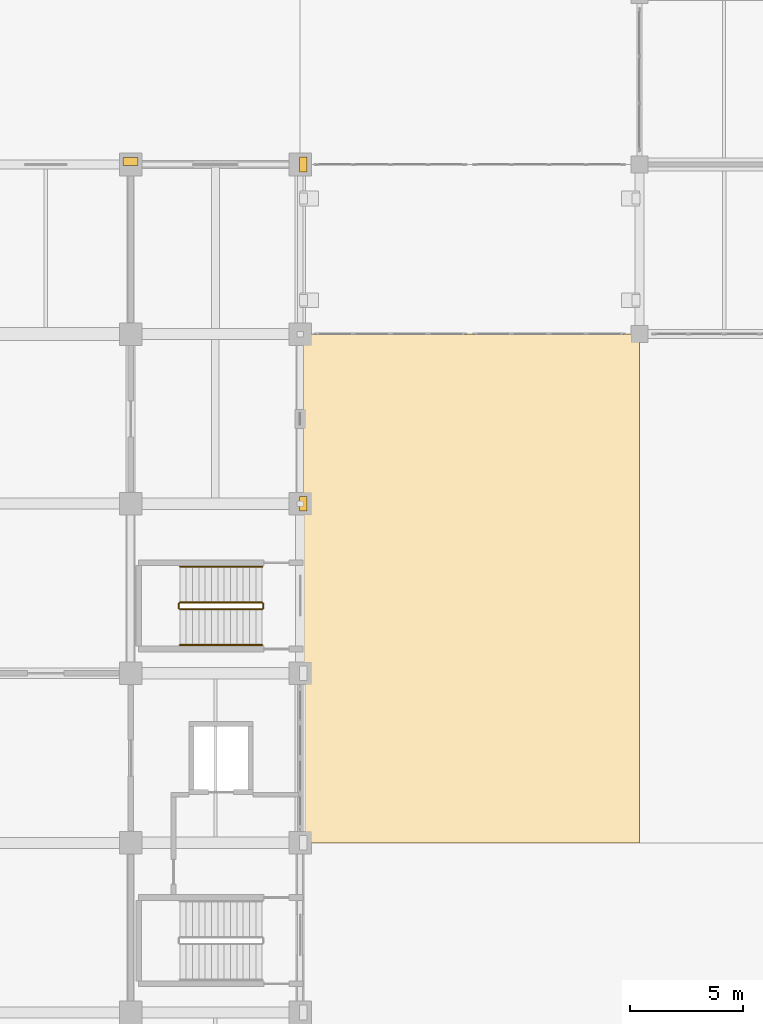
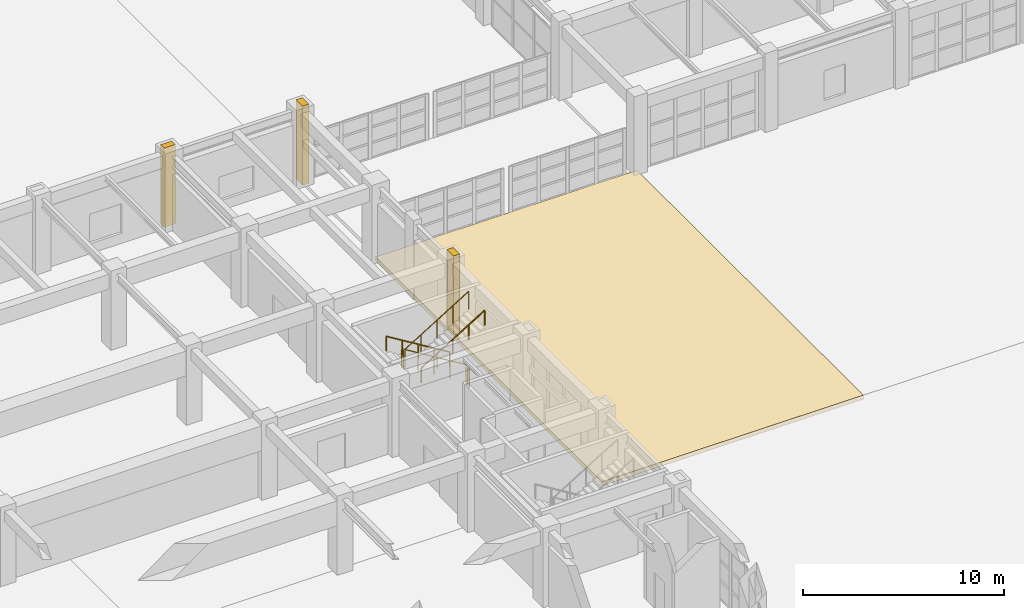
# One storey, part 117 of 122: 6 railings, 4 coverings.
"""IFC4 building model written with IfcOpenShell, lengths in metres."""

from ifc_helpers import new_model, si_unit, direction, frame, origin, origin_2d, place, context, subcontext, project, spatial, polyline, rectangle, circle, outline, extrude, material, layer, layer_set, type_object, element, save


model = new_model("IFC4")

# Units and contexts
model_context = context("Model", 3, precision=1e-05, world=origin(), true_north=direction((0.0, 1.0)))
body_context = subcontext(model_context, "Body", "Model", "MODEL_VIEW")
ifc_project = project(units=[si_unit("LENGTHUNIT", "METRE"), si_unit("AREAUNIT", "SQUARE_METRE"), si_unit("VOLUMEUNIT", "CUBIC_METRE"), si_unit("PLANEANGLEUNIT", "RADIAN"), si_unit("MASSUNIT", "GRAM", prefix="KILO")], contexts=[model_context])

# Site, building, storey
site_placement = place(None, origin())
site = spatial("IfcSite", under=ifc_project, at=site_placement, CompositionType="ELEMENT")
building_placement = place(site_placement, origin())
building = spatial("IfcBuilding", under=site, at=building_placement, Name="Qasida Concert Hall", CompositionType="ELEMENT")
storey_placement = place(building_placement, origin())
storey = spatial("IfcBuildingStorey", under=building, at=storey_placement, Name="L00", CompositionType="ELEMENT", Elevation=0.0)

# Coverings
ifc_material_1 = material(Name="Bush-hammered Lebanese limestone plaza paving", Category="masonry")
ifc_layer_1 = layer(ifc_material_1, 0.25, Name="Bush-hammered Lebanese limestone plaza paving")
ifc_layer_set_1 = layer_set([ifc_layer_1], Name="Bush-hammered Lebanese limestone plaza paving")
covering_type_1 = type_object("IfcCoveringType", Name="CV-PAV-250", PredefinedType="FLOORING", material=ifc_layer_set_1)
covering_1_placement = place(storey_placement, frame((0.0, 0.0, -0.25)))
element("IfcCovering", 1, at=covering_1_placement, inside=storey, type_object=covering_type_1, Name="L00 East symphony colonnade court north", PredefinedType="FLOORING", context=body_context, shape_type="SweptSolid", body=[
    extrude(outline(polyline([(105.0, 52.5), (120.0, 52.5), (120.0, 75.0), (105.0, 75.0), (105.0, 52.5)])), origin(), (0.0, 0.0, 1.0), 0.25),
])
ifc_material_2 = material(Name="Projecting fluted Lebanese limestone Art Deco pilaster", Category="masonry")
ifc_layer_2 = layer(ifc_material_2, 0.35009765625, Name="Projecting fluted Lebanese limestone Art Deco pilaster")
ifc_layer_set_2 = layer_set([ifc_layer_2], Name="Projecting fluted Lebanese limestone Art Deco pilaster")
covering_type_2 = type_object("IfcCoveringType", Name="CV-PIL-650", PredefinedType="CLADDING", material=ifc_layer_set_2)
for number, where, z_axis, x_axis, name in (
    (2, (105.135009765625, 67.5, 0.0), (0.0, 0.0, 1.0), (1.0, 0.0, 0.0), "L00 fluted limestone pilaster 0078"),
    (3, (105.135009765625, 82.5, 0.0), (0.0, 0.0, 1.0), (1.0, 0.0, 0.0), "L00 fluted limestone pilaster 0092"),
):
    element("IfcCovering", number, at=place(storey_placement, frame(where, z_axis=z_axis, x_axis=x_axis)), inside=storey, type_object=covering_type_2, Name=name, PredefinedType="CLADDING", context=body_context, shape_type="SweptSolid", body=[
        extrude(rectangle(XDim=0.35009765625, YDim=0.64990234375, at=origin_2d()), origin(), (0.0, 0.0, 1.0), 4.800048828125),
    ])
covering_2_placement = place(storey_placement, frame((97.5, 82.635009765625, 0.0), z_axis=(0.0, 0.0, 1.0), x_axis=(1.0, 0.0, 0.0)))
element("IfcCovering", 4, at=covering_2_placement, inside=storey, type_object=covering_type_2, Name="L00 fluted limestone pilaster 0134", PredefinedType="CLADDING", context=body_context, shape_type="SweptSolid", body=[
    extrude(rectangle(XDim=0.64990234375, YDim=0.35009765625, at=origin_2d()), origin(), (0.0, 0.0, 1.0), 4.800048828125),
])

# Railings
ifc_material_3 = material(Name="Patinated architectural bronze and laminated glass infill", Category="glass")
ifc_layer_3 = layer(ifc_material_3, 0.080078125, Name="Patinated architectural bronze and laminated glass infill")
ifc_layer_set_3 = layer_set([ifc_layer_3], Name="Patinated architectural bronze and laminated glass infill")
railing_type_1 = type_object("IfcRailingType", Name="RL-GRD-1100", PredefinedType="GUARDRAIL", material=ifc_layer_set_3)
railing_1_placement = place(storey_placement, frame((103.320068359375, 63.1298828125, 0.17138671875)))
element("IfcRailing", 5, at=railing_1_placement, inside=storey, type_object=railing_type_1, Name="L00 ST-12 stair guard 1", PredefinedType="GUARDRAIL", context=body_context, shape_type="SweptSolid", body=[
    extrude(circle(Radius=0.02392578125, at=origin_2d()), frame((0.0, 0.0, 1.076171875), z_axis=(-0.852865859571, 0.0, 0.52213008492), x_axis=(0.0, -1.0, 0.0)), (0.0, 0.0, 1.0), 4.26806640625),
    extrude(circle(Radius=0.02099609375, at=origin_2d()), origin(), (0.0, 0.0, 1.0), 1.052001953125),
    extrude(circle(Radius=0.02099609375, at=origin_2d()), frame((-0.91015625, 0.0, 0.55712890625)), (0.0, 0.0, 1.0), 1.052001953125),
    extrude(circle(Radius=0.02099609375, at=origin_2d()), frame((-1.820068359375, 0.0, 1.1142578125)), (0.0, 0.0, 1.0), 1.052001953125),
    extrude(circle(Radius=0.02099609375, at=origin_2d()), frame((-2.72998046875, 0.0, 1.67138671875)), (0.0, 0.0, 1.0), 1.052001953125),
    extrude(circle(Radius=0.02099609375, at=origin_2d()), frame((-3.64013671875, 0.0, 2.228515625)), (0.0, 0.0, 1.0), 1.052001953125),
])
railing_2_placement = place(storey_placement, frame((99.6298828125, 63.080078125, 2.39990234375)))
element("IfcRailing", 6, at=railing_2_placement, inside=storey, type_object=railing_type_1, Name="L00 ST-12 stair guard 2", PredefinedType="GUARDRAIL", context=body_context, shape_type="SweptSolid", body=[
    extrude(circle(Radius=0.02392578125, at=origin_2d()), frame((0.0, 0.0, 1.076171875), z_axis=(0.0, -1.0, 0.0), x_axis=(1.0, 0.0, 0.0)), (0.0, 0.0, 1.0), 0.2001953125),
    extrude(circle(Radius=0.02099609375, at=origin_2d()), origin(), (0.0, 0.0, 1.0), 1.052001953125),
    extrude(circle(Radius=0.02099609375, at=origin_2d()), frame((0.0, -0.2001953125, 0.0)), (0.0, 0.0, 1.0), 1.052001953125),
])
railing_3_placement = place(storey_placement, frame((99.679931640625, 62.830078125, 2.571533203125)))
element("IfcRailing", 7, at=railing_3_placement, inside=storey, type_object=railing_type_1, Name="L00 ST-12 stair guard 3", PredefinedType="GUARDRAIL", context=body_context, shape_type="SweptSolid", body=[
    extrude(circle(Radius=0.02392578125, at=origin_2d()), frame((0.0, 0.0, 1.076171875), z_axis=(0.852865859571, 0.0, 0.52213008492), x_axis=(0.0, 1.0, 0.0)), (0.0, 0.0, 1.0), 4.26806640625),
    extrude(circle(Radius=0.02099609375, at=origin_2d()), origin(), (0.0, 0.0, 1.0), 1.052001953125),
    extrude(circle(Radius=0.02099609375, at=origin_2d()), frame((0.91015625, 0.0, 0.55712890625)), (0.0, 0.0, 1.0), 1.052001953125),
    extrude(circle(Radius=0.02099609375, at=origin_2d()), frame((1.820068359375, 0.0, 1.1142578125)), (0.0, 0.0, 1.0), 1.052001953125),
    extrude(circle(Radius=0.02099609375, at=origin_2d()), frame((2.72998046875, 0.0, 1.67138671875)), (0.0, 0.0, 1.0), 1.052001953125),
    extrude(circle(Radius=0.02099609375, at=origin_2d()), frame((3.64013671875, 0.0, 2.228515625)), (0.0, 0.0, 1.0), 1.052001953125),
])
railing_4_placement = place(storey_placement, frame((103.3701171875, 63.080078125, 0.0)))
element("IfcRailing", 8, at=railing_4_placement, inside=storey, type_object=railing_type_1, Name="L00 ST-12 stair guard 4", PredefinedType="GUARDRAIL", context=body_context, shape_type="SweptSolid", body=[
    extrude(circle(Radius=0.02392578125, at=origin_2d()), frame((0.0, 0.0, 1.076171875), z_axis=(0.0, -1.0, 0.0), x_axis=(1.0, 0.0, 0.0)), (0.0, 0.0, 1.0), 0.2001953125),
    extrude(circle(Radius=0.02099609375, at=origin_2d()), origin(), (0.0, 0.0, 1.0), 1.052001953125),
    extrude(circle(Radius=0.02099609375, at=origin_2d()), frame((0.0, -0.2001953125, 0.0)), (0.0, 0.0, 1.0), 1.052001953125),
])
ifc_material_4 = material(Name="Patinated tubular architectural bronze", Category="steel")
ifc_layer_4 = layer(ifc_material_4, 0.050048828125, Name="Patinated tubular architectural bronze")
ifc_layer_set_4 = layer_set([ifc_layer_4], Name="Patinated tubular architectural bronze")
railing_type_2 = type_object("IfcRailingType", Name="RL-HND-900", PredefinedType="HANDRAIL", material=ifc_layer_set_4)
railing_5_placement = place(storey_placement, frame((103.320068359375, 64.7099609375, 0.17138671875)))
element("IfcRailing", 9, at=railing_5_placement, inside=storey, type_object=railing_type_2, Name="L00 ST-12 stair handrail 1", PredefinedType="HANDRAIL", context=body_context, shape_type="SweptSolid", body=[
    extrude(circle(Radius=0.02392578125, at=origin_2d()), frame((0.0, 0.0, 0.8759765625), z_axis=(-0.852865859571, 0.0, 0.52213008492), x_axis=(0.0, -1.0, 0.0)), (0.0, 0.0, 1.0), 4.26806640625),
    extrude(circle(Radius=0.02099609375, at=origin_2d()), origin(), (0.0, 0.0, 1.0), 0.851806640625),
    extrude(circle(Radius=0.02099609375, at=origin_2d()), frame((-0.91015625, 0.0, 0.55712890625)), (0.0, 0.0, 1.0), 0.851806640625),
    extrude(circle(Radius=0.02099609375, at=origin_2d()), frame((-1.820068359375, 0.0, 1.1142578125)), (0.0, 0.0, 1.0), 0.851806640625),
    extrude(circle(Radius=0.02099609375, at=origin_2d()), frame((-2.72998046875, 0.0, 1.67138671875)), (0.0, 0.0, 1.0), 0.851806640625),
    extrude(circle(Radius=0.02099609375, at=origin_2d()), frame((-3.64013671875, 0.0, 2.228515625)), (0.0, 0.0, 1.0), 0.851806640625),
])
railing_6_placement = place(storey_placement, frame((99.679931640625, 61.25, 2.571533203125)))
element("IfcRailing", 10, at=railing_6_placement, inside=storey, type_object=railing_type_2, Name="L00 ST-12 stair handrail 2", PredefinedType="HANDRAIL", context=body_context, shape_type="SweptSolid", body=[
    extrude(circle(Radius=0.02392578125, at=origin_2d()), frame((0.0, 0.0, 0.8759765625), z_axis=(0.852865859571, 0.0, 0.52213008492), x_axis=(0.0, 1.0, 0.0)), (0.0, 0.0, 1.0), 4.26806640625),
    extrude(circle(Radius=0.02099609375, at=origin_2d()), origin(), (0.0, 0.0, 1.0), 0.851806640625),
    extrude(circle(Radius=0.02099609375, at=origin_2d()), frame((0.91015625, 0.0, 0.55712890625)), (0.0, 0.0, 1.0), 0.851806640625),
    extrude(circle(Radius=0.02099609375, at=origin_2d()), frame((1.820068359375, 0.0, 1.1142578125)), (0.0, 0.0, 1.0), 0.851806640625),
    extrude(circle(Radius=0.02099609375, at=origin_2d()), frame((2.72998046875, 0.0, 1.67138671875)), (0.0, 0.0, 1.0), 0.851806640625),
    extrude(circle(Radius=0.02099609375, at=origin_2d()), frame((3.64013671875, 0.0, 2.228515625)), (0.0, 0.0, 1.0), 0.851806640625),
])

save(model, "model.ifc")
